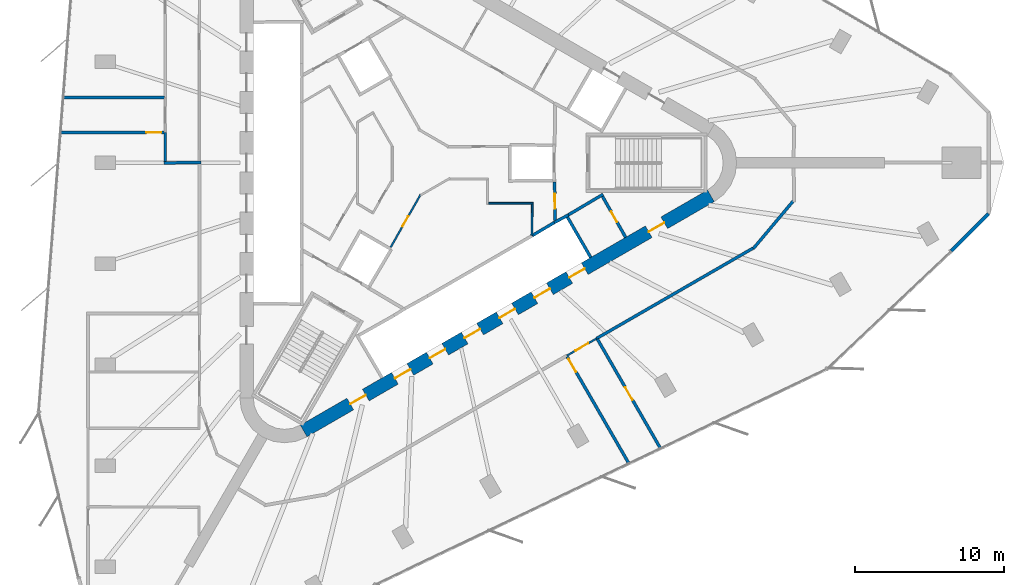
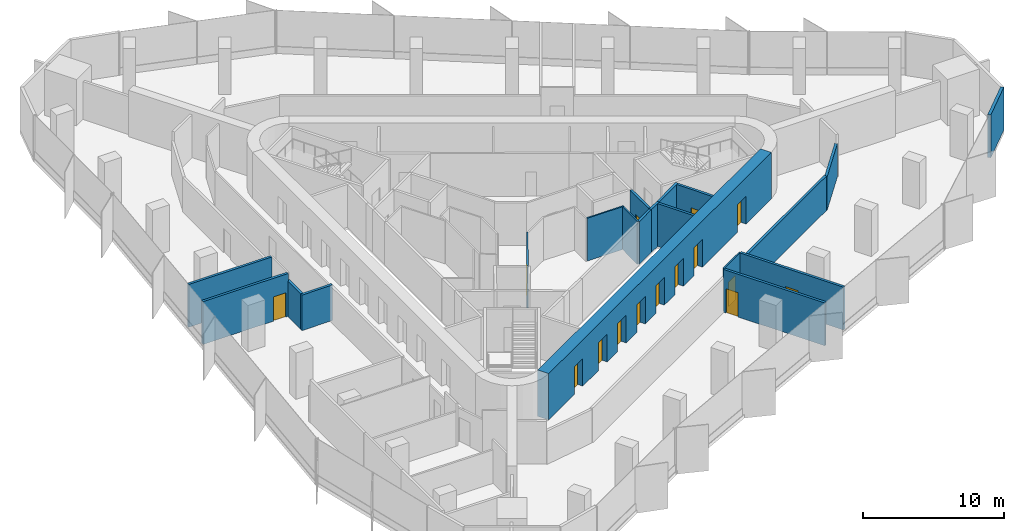
# One storey, part 9 of 13: 20 walls, 15 doors, 15 openings.
"""IFC4 building model written with IfcOpenShell, lengths in metres."""

import ifcopenshell
import ifcopenshell.guid

model = None  # the IFC model being written
_history = None  # IfcOwnerHistory: only IFC2X3 demands one
_inside = {}  # id of a spatial element -> (the spatial element, [elements in it])
_under = {}  # id of a project, library or spatial element -> (it, [spatial elements below it])
_declared = {}  # id of a project -> (the project, [libraries it declares])
_typed = {}  # id of a type object -> (the type object, [elements of that type])
_made_of = {}  # id of a material, layer set ... -> (it, [elements and type objects made of it])


def new_model(schema):
    """Start an empty IFC model of exactly this schema.

    Asked for "IFC4X3", IfcOpenShell would pick the latest addendum, in which some entities
    have other attributes; the version numbers below select the first issue.
    IFC2X3 requires an IfcOwnerHistory on every rooted entity: one is made here for all.
    """
    global model, _history
    if schema == "IFC4X3":
        model = ifcopenshell.file(schema_version=(4, 3, 0, 0))
    else:
        model = ifcopenshell.file(schema=schema)
    _inside.clear()
    _under.clear()
    _declared.clear()
    _typed.clear()
    _made_of.clear()
    _history = None
    if model.schema == "IFC2X3":
        org = make("IfcOrganization", Name="unknown")
        user = make(
            "IfcPersonAndOrganization",
            ThePerson=make("IfcPerson", FamilyName="unknown"),
            TheOrganization=org,
        )
        app = make(
            "IfcApplication",
            ApplicationDeveloper=org,
            Version="unknown",
            ApplicationFullName="unknown",
            ApplicationIdentifier="unknown",
        )
        _history = make(
            "IfcOwnerHistory",
            OwningUser=user,
            OwningApplication=app,
            ChangeAction="ADDED",
            CreationDate=0,
        )
    return model


def make(cls, **values):
    """One entity of the class cls with the attributes given. An attribute that is None is left unset."""
    return model.create_entity(
        cls, **{name: value for name, value in values.items() if value is not None}
    )


def rooted(cls, **values):
    """An entity with a GlobalId (a new one), such as an element, a storey or a relation."""
    return make(cls, GlobalId=ifcopenshell.guid.new(), OwnerHistory=_history, **values)


def si_unit(unit_type, name, prefix=None):
    """IfcSIUnit, for example si_unit("LENGTHUNIT", "METRE", prefix="MILLI")."""
    return make("IfcSIUnit", UnitType=unit_type, Prefix=prefix, Name=name)


def assignment(units):
    """IfcUnitAssignment: the units of a project."""
    return None if units is None else make("IfcUnitAssignment", Units=units)


def point(xyz):
    """IfcCartesianPoint."""
    return None if xyz is None else make("IfcCartesianPoint", Coordinates=xyz)


def direction(xyz):
    """IfcDirection."""
    return None if xyz is None else make("IfcDirection", DirectionRatios=xyz)


def frame(location, z_axis=None, x_axis=None):
    """IfcAxis2Placement3D, a coordinate frame: its origin and axes. An axis left out is left unset."""
    return make(
        "IfcAxis2Placement3D",
        Location=point(location),
        Axis=direction(z_axis),
        RefDirection=direction(x_axis),
    )


def frame_2d(location, x_axis=None):
    """IfcAxis2Placement2D, a coordinate frame in the plane: its origin and x axis."""
    return make(
        "IfcAxis2Placement2D", Location=point(location), RefDirection=direction(x_axis)
    )


def origin():
    """The frame at (0, 0, 0) with its axes left unset."""
    return frame((0.0, 0.0, 0.0))


def place(relative_to, where):
    """IfcLocalPlacement: puts the frame where relative to a parent placement (None: the world)."""
    return make(
        "IfcLocalPlacement", PlacementRelTo=relative_to, RelativePlacement=where
    )


def context(
    kind, dimensions, precision=None, world=None, true_north=None, identifier=None
):
    """IfcGeometricRepresentationContext, for example the 3D "Model" context."""
    return make(
        "IfcGeometricRepresentationContext",
        ContextIdentifier=identifier,
        ContextType=kind,
        CoordinateSpaceDimension=dimensions,
        Precision=precision,
        WorldCoordinateSystem=world,
        TrueNorth=true_north,
    )


def subcontext(parent, identifier, kind, view, scale=None):
    """IfcGeometricRepresentationSubContext, for example "Body" below "Model"."""
    return make(
        "IfcGeometricRepresentationSubContext",
        ContextIdentifier=identifier,
        ContextType=kind,
        ParentContext=parent,
        TargetScale=scale,
        TargetView=view,
    )


def project(units=None, contexts=None):
    """IfcProject with its units and contexts."""
    return rooted(
        "IfcProject",
        Name="project",
        RepresentationContexts=contexts,
        UnitsInContext=assignment(units),
    )


def spatial(cls, under=None, at=None, **own):
    """A site, building, storey or space (cls), placed at a placement, below another one or the project."""
    s = rooted(cls, ObjectPlacement=at, **own)
    if under is not None:
        _under.setdefault(under.id(), (under, []))[1].append(s)
    return s


def profile(cls, at=None, kind="AREA", **sizes):
    """A parametric profile (cls). Its sizes go by their IFC names, for example OverallWidth=200.0."""
    return make(cls, ProfileType=kind, Position=at, **sizes)


def rectangle(**sizes):
    """IfcRectangleProfileDef."""
    return profile("IfcRectangleProfileDef", **sizes)


def extrude(swept, where, along, depth):
    """IfcExtrudedAreaSolid: the profile swept, set in the frame where, extruded along a direction by depth."""
    return make(
        "IfcExtrudedAreaSolid",
        SweptArea=swept,
        Position=where,
        ExtrudedDirection=direction(along),
        Depth=depth,
    )


def shape(context_of_items, identifier, shape_type, items):
    """IfcShapeRepresentation: the items that make up one representation, for example the "Body"."""
    return make(
        "IfcShapeRepresentation",
        ContextOfItems=context_of_items,
        RepresentationIdentifier=identifier,
        RepresentationType=shape_type,
        Items=items,
    )


def material(Name=None, Category=None):
    """IfcMaterial."""
    return make("IfcMaterial", Name=Name, Category=Category)


def layer(
    of_material, thickness, ventilated=None, Name=None, Category=None, Priority=None
):
    """IfcMaterialLayer: one layer of a wall or slab, of a material (None: an air gap)."""
    return make(
        "IfcMaterialLayer",
        Material=of_material,
        LayerThickness=thickness,
        IsVentilated=ventilated,
        Name=Name,
        Category=Category,
        Priority=Priority,
    )


def layer_set(layers, Name=None):
    """IfcMaterialLayerSet."""
    return make("IfcMaterialLayerSet", MaterialLayers=layers, LayerSetName=Name)


def made_of(thing, what):
    """Note that an element or type object is made of a material, layer set ...; save() writes the relation."""
    if what is not None:
        _made_of.setdefault(what.id(), (what, []))[1].append(thing)
    return thing


def type_object(cls, material=None, **own):
    """A type object (cls), such as IfcWallType, which elements share."""
    return made_of(rooted(cls, **own), material)


def element(
    cls,
    number,
    at=None,
    inside=None,
    cuts=None,
    type_object=None,
    material=None,
    context=None,
    identifier="Body",
    shape_type=None,
    held_by="IfcProductDefinitionShape",
    body=None,
    shapes=None,
    **own,
):
    """One element of the class cls, such as IfcWall. Its Tag is "e" and its number.

    at: its placement. inside: the storey or other place that contains it. cuts: it is an
    opening in that element (IfcRelVoidsElement). A single representation is given by context,
    identifier, shape_type and body (its items); several are given by shapes. held_by: the class
    of the entity that holds the representations. save() writes the other relations.
    """
    e = rooted(cls, Tag="e%d" % number, ObjectPlacement=at, **own)
    if body is not None:
        shapes = [shape(context, identifier, shape_type, body)]
    if shapes is not None:
        e.Representation = make(held_by, Representations=shapes)
    if inside is not None:
        _inside.setdefault(inside.id(), (inside, []))[1].append(e)
    if cuts is not None:
        rooted(
            "IfcRelVoidsElement", RelatingBuildingElement=cuts, RelatedOpeningElement=e
        )
    if type_object is not None:
        _typed.setdefault(type_object.id(), (type_object, []))[1].append(e)
    return made_of(e, material)


def fill(opening, filler):
    """IfcRelFillsElement: the door or window that sits in an opening."""
    return rooted(
        "IfcRelFillsElement",
        RelatingOpeningElement=opening,
        RelatedBuildingElement=filler,
    )


def aggregate(whole, parts):
    """IfcRelAggregates: a whole, such as a stair, and the parts it consists of."""
    return rooted("IfcRelAggregates", RelatingObject=whole, RelatedObjects=parts)


def save(model, path):
    """Write the relations noted so far, then the file.

    IfcRelAggregates (storeys below a building ...), IfcRelContainedInSpatialStructure (elements
    in a storey), IfcRelDefinesByType, IfcRelAssociatesMaterial and IfcRelDeclares: one each for
    every whole, place, type object, material and project.
    """
    for whole, parts in _under.values():
        aggregate(whole, parts)
    for where, things in _inside.values():
        rooted(
            "IfcRelContainedInSpatialStructure",
            RelatedElements=things,
            RelatingStructure=where,
        )
    for kind, things in _typed.values():
        rooted("IfcRelDefinesByType", RelatedObjects=things, RelatingType=kind)
    for what, things in _made_of.values():
        rooted("IfcRelAssociatesMaterial", RelatedObjects=things, RelatingMaterial=what)
    for by, libraries in _declared.values():
        rooted("IfcRelDeclares", RelatingContext=by, RelatedDefinitions=libraries)
    model.write(path)


model = new_model("IFC4")

# Units and contexts
model_context = context("Model", 3, precision=1e-05, world=origin(), true_north=direction((0.0, 1.0)))
body_context = subcontext(model_context, "Body", "Model", "MODEL_VIEW")
ifc_project = project(units=[si_unit("LENGTHUNIT", "METRE"), si_unit("AREAUNIT", "SQUARE_METRE"), si_unit("VOLUMEUNIT", "CUBIC_METRE"), si_unit("PLANEANGLEUNIT", "RADIAN"), si_unit("MASSUNIT", "GRAM", prefix="KILO")], contexts=[model_context])

# Site, building, storey
site_placement = place(None, origin())
site = spatial("IfcSite", under=ifc_project, at=site_placement, CompositionType="ELEMENT")
building_placement = place(site_placement, origin())
building = spatial("IfcBuilding", under=site, at=building_placement, Name="Tanit Gate Tower", CompositionType="ELEMENT")
storey_placement = place(building_placement, frame((0.0, 0.0, 265.199951171875)))
storey = spatial("IfcBuildingStorey", under=building, at=storey_placement, Name="L60", CompositionType="ELEMENT", Elevation=265.199951171875)

# Wall, openings, doors
ifc_material_1 = material(Name="Concrete C50/60", Category="concrete")
ifc_layer_1 = layer(ifc_material_1, 0.89990234375)
ifc_layer_set_1 = layer_set([ifc_layer_1], Name="CORE WALL 900 C50/60")
wall_type_1 = type_object("IfcWallType", Name="CORE WALL 900 C50/60", PredefinedType="SHEAR", material=ifc_layer_set_1)
wall_1_placement = place(storey_placement, frame((-7.824951171875, -17.969970703125, 0.0), z_axis=(0.0, 0.0, 1.0), x_axis=(0.866028369851, 0.499994862586, 0.0)))
wall_1 = element("IfcWall", 1, at=wall_1_placement, inside=storey, type_object=wall_type_1, Name="CORE WALL", PredefinedType="SHEAR", context=body_context, shape_type="SweptSolid", body=[
    extrude(rectangle(XDim=31.523193359375, YDim=0.89990234375, at=frame_2d((15.76171875, 0.0))), origin(), (0.0, 0.0, 1.0), 4.0),
])
opening_1_placement = place(wall_1_placement, frame((7.061767578125, 0.0, 0.0)))
opening_1 = element("IfcOpeningElement", 2, at=opening_1_placement, cuts=wall_1, Name="Opening LDSX1-S17", PredefinedType="OPENING", context=body_context, shape_type="SweptSolid", body=[
    extrude(rectangle(XDim=1.199951171875, YDim=2.39990234375, at=frame_2d((0.60009765625, 1.199951171875))), frame((0.0, 0.4599609375, 0.0), z_axis=(0.0, -1.0, 0.0), x_axis=(1.0, 0.0, 0.0)), (0.0, 0.0, 1.0), 0.919921875),
])
opening_2_placement = place(wall_1_placement, frame((9.76171875, 0.0, 0.0)))
opening_2 = element("IfcOpeningElement", 3, at=opening_2_placement, cuts=wall_1, Name="Opening LDSX2-S17", PredefinedType="OPENING", context=body_context, shape_type="SweptSolid", body=[
    extrude(rectangle(XDim=1.199951171875, YDim=2.39990234375, at=frame_2d((0.60009765625, 1.199951171875))), frame((0.0, 0.4599609375, 0.0), z_axis=(0.0, -1.0, 0.0), x_axis=(1.0, 0.0, 0.0)), (0.0, 0.0, 1.0), 0.919921875),
])
opening_3_placement = place(wall_1_placement, frame((12.461669921875, 0.0, 0.0)))
opening_3 = element("IfcOpeningElement", 4, at=opening_3_placement, cuts=wall_1, Name="Opening LDSX3-S17", PredefinedType="OPENING", context=body_context, shape_type="SweptSolid", body=[
    extrude(rectangle(XDim=1.199951171875, YDim=2.39990234375, at=frame_2d((0.60009765625, 1.199951171875))), frame((0.0, 0.4599609375, 0.0), z_axis=(0.0, -1.0, 0.0), x_axis=(1.0, 0.0, 0.0)), (0.0, 0.0, 1.0), 0.919921875),
])
opening_4_placement = place(wall_1_placement, frame((15.16162109375, 0.0, 0.0)))
opening_4 = element("IfcOpeningElement", 5, at=opening_4_placement, cuts=wall_1, Name="Opening LDSX4-S17", PredefinedType="OPENING", context=body_context, shape_type="SweptSolid", body=[
    extrude(rectangle(XDim=1.199951171875, YDim=2.39990234375, at=frame_2d((0.60009765625, 1.199951171875))), frame((0.0, 0.4599609375, 0.0), z_axis=(0.0, -1.0, 0.0), x_axis=(1.0, 0.0, 0.0)), (0.0, 0.0, 1.0), 0.919921875),
])
opening_5_placement = place(wall_1_placement, frame((17.861572265625, 0.0, 0.0)))
opening_5 = element("IfcOpeningElement", 6, at=opening_5_placement, cuts=wall_1, Name="Opening LDSV1-S17", PredefinedType="OPENING", context=body_context, shape_type="SweptSolid", body=[
    extrude(rectangle(XDim=1.199951171875, YDim=2.39990234375, at=frame_2d((0.60009765625, 1.199951171875))), frame((0.0, 0.4599609375, 0.0), z_axis=(0.0, -1.0, 0.0), x_axis=(1.0, 0.0, 0.0)), (0.0, 0.0, 1.0), 0.919921875),
])
opening_6_placement = place(wall_1_placement, frame((20.561767578125, 0.0, 0.0)))
opening_6 = element("IfcOpeningElement", 7, at=opening_6_placement, cuts=wall_1, Name="Opening LDSV2-S17", PredefinedType="OPENING", context=body_context, shape_type="SweptSolid", body=[
    extrude(rectangle(XDim=1.199951171875, YDim=2.39990234375, at=frame_2d((0.60009765625, 1.199951171875))), frame((0.0, 0.4599609375, 0.0), z_axis=(0.0, -1.0, 0.0), x_axis=(1.0, 0.0, 0.0)), (0.0, 0.0, 1.0), 0.919921875),
])
opening_7_placement = place(wall_1_placement, frame((26.711669921875, 0.0, 0.0)))
opening_7 = element("IfcOpeningElement", 8, at=opening_7_placement, cuts=wall_1, Name="Opening F12-S17-S1", PredefinedType="OPENING", context=body_context, shape_type="SweptSolid", body=[
    extrude(rectangle(XDim=1.199951171875, YDim=2.39990234375, at=frame_2d((0.60009765625, 1.199951171875))), frame((0.0, 0.4599609375, 0.0), z_axis=(0.0, -1.0, 0.0), x_axis=(1.0, 0.0, 0.0)), (0.0, 0.0, 1.0), 0.919921875),
])
opening_8_placement = place(wall_1_placement, frame((3.611572265625, 0.0, 0.0)))
opening_8 = element("IfcOpeningElement", 9, at=opening_8_placement, cuts=wall_1, Name="Opening F12-S17-FL3", PredefinedType="OPENING", context=body_context, shape_type="SweptSolid", body=[
    extrude(rectangle(XDim=1.199951171875, YDim=2.39990234375, at=frame_2d((0.60009765625, 1.199951171875))), frame((0.0, 0.4599609375, 0.0), z_axis=(0.0, -1.0, 0.0), x_axis=(1.0, 0.0, 0.0)), (0.0, 0.0, 1.0), 0.919921875),
])
ifc_material_2 = material(Name="Fire-rated steel door leaf", Category="steel")
door_type_1 = type_object("IfcDoorType", Name="INT-DOOR-FIRE-LOBBY-1200", OperationType="NOTDEFINED", PredefinedType="USERDEFINED", material=ifc_material_2)
door_1_placement = place(opening_7_placement, origin())
door_1 = element("IfcDoor", 10, at=door_1_placement, inside=storey, type_object=door_type_1, Name="Door F12-S17-S1", ObjectType="FIRE DOOR", OperationType="SINGLE_SWING_RIGHT", OverallHeight=2.39990234375, OverallWidth=1.199951171875, PredefinedType="USERDEFINED", context=body_context, shape_type="SweptSolid", body=[
    extrude(rectangle(XDim=1.199951171875, YDim=2.39990234375, at=frame_2d((0.60009765625, 1.199951171875))), frame((0.0, 0.02490234375, 0.0), z_axis=(0.0, -1.0, 0.0), x_axis=(1.0, 0.0, 0.0)), (0.0, 0.0, 1.0), 0.050048828125),
])
fill(opening_7, door_1)
door_2_placement = place(opening_8_placement, origin())
door_2 = element("IfcDoor", 11, at=door_2_placement, inside=storey, type_object=door_type_1, Name="Door F12-S17-FL3", ObjectType="FIRE DOOR", OperationType="SINGLE_SWING_RIGHT", OverallHeight=2.39990234375, OverallWidth=1.199951171875, PredefinedType="USERDEFINED", context=body_context, shape_type="SweptSolid", body=[
    extrude(rectangle(XDim=1.199951171875, YDim=2.39990234375, at=frame_2d((0.60009765625, 1.199951171875))), frame((0.0, 0.02490234375, 0.0), z_axis=(0.0, -1.0, 0.0), x_axis=(1.0, 0.0, 0.0)), (0.0, 0.0, 1.0), 0.050048828125),
])
fill(opening_8, door_2)
ifc_material_3 = material(Name="Stainless steel sliding door leaf", Category="steel")
door_type_2 = type_object("IfcDoorType", Name="INT-DOOR-LANDING-1200", OperationType="NOTDEFINED", PredefinedType="USERDEFINED", material=ifc_material_3)
door_3_placement = place(opening_1_placement, origin())
door_3 = element("IfcDoor", 12, at=door_3_placement, inside=storey, type_object=door_type_2, Name="Door LDSX1-S17", ObjectType="LANDING DOOR", OperationType="SLIDING_TO_LEFT", OverallHeight=2.39990234375, OverallWidth=1.199951171875, PredefinedType="USERDEFINED", context=body_context, shape_type="SweptSolid", body=[
    extrude(rectangle(XDim=1.199951171875, YDim=2.39990234375, at=frame_2d((0.60009765625, 1.199951171875))), frame((0.0, 0.02490234375, 0.0), z_axis=(0.0, -1.0, 0.0), x_axis=(1.0, 0.0, 0.0)), (0.0, 0.0, 1.0), 0.050048828125),
])
fill(opening_1, door_3)
door_4_placement = place(opening_2_placement, origin())
door_4 = element("IfcDoor", 13, at=door_4_placement, inside=storey, type_object=door_type_2, Name="Door LDSX2-S17", ObjectType="LANDING DOOR", OperationType="SLIDING_TO_LEFT", OverallHeight=2.39990234375, OverallWidth=1.199951171875, PredefinedType="USERDEFINED", context=body_context, shape_type="SweptSolid", body=[
    extrude(rectangle(XDim=1.199951171875, YDim=2.39990234375, at=frame_2d((0.60009765625, 1.199951171875))), frame((0.0, 0.02490234375, 0.0), z_axis=(0.0, -1.0, 0.0), x_axis=(1.0, 0.0, 0.0)), (0.0, 0.0, 1.0), 0.050048828125),
])
fill(opening_2, door_4)
door_5_placement = place(opening_3_placement, origin())
door_5 = element("IfcDoor", 14, at=door_5_placement, inside=storey, type_object=door_type_2, Name="Door LDSX3-S17", ObjectType="LANDING DOOR", OperationType="SLIDING_TO_LEFT", OverallHeight=2.39990234375, OverallWidth=1.199951171875, PredefinedType="USERDEFINED", context=body_context, shape_type="SweptSolid", body=[
    extrude(rectangle(XDim=1.199951171875, YDim=2.39990234375, at=frame_2d((0.60009765625, 1.199951171875))), frame((0.0, 0.02490234375, 0.0), z_axis=(0.0, -1.0, 0.0), x_axis=(1.0, 0.0, 0.0)), (0.0, 0.0, 1.0), 0.050048828125),
])
fill(opening_3, door_5)
door_6_placement = place(opening_4_placement, origin())
door_6 = element("IfcDoor", 15, at=door_6_placement, inside=storey, type_object=door_type_2, Name="Door LDSX4-S17", ObjectType="LANDING DOOR", OperationType="SLIDING_TO_LEFT", OverallHeight=2.39990234375, OverallWidth=1.199951171875, PredefinedType="USERDEFINED", context=body_context, shape_type="SweptSolid", body=[
    extrude(rectangle(XDim=1.199951171875, YDim=2.39990234375, at=frame_2d((0.60009765625, 1.199951171875))), frame((0.0, 0.02490234375, 0.0), z_axis=(0.0, -1.0, 0.0), x_axis=(1.0, 0.0, 0.0)), (0.0, 0.0, 1.0), 0.050048828125),
])
fill(opening_4, door_6)
door_7_placement = place(opening_5_placement, origin())
door_7 = element("IfcDoor", 16, at=door_7_placement, inside=storey, type_object=door_type_2, Name="Door LDSV1-S17", ObjectType="LANDING DOOR", OperationType="SLIDING_TO_LEFT", OverallHeight=2.39990234375, OverallWidth=1.199951171875, PredefinedType="USERDEFINED", context=body_context, shape_type="SweptSolid", body=[
    extrude(rectangle(XDim=1.199951171875, YDim=2.39990234375, at=frame_2d((0.60009765625, 1.199951171875))), frame((0.0, 0.02490234375, 0.0), z_axis=(0.0, -1.0, 0.0), x_axis=(1.0, 0.0, 0.0)), (0.0, 0.0, 1.0), 0.050048828125),
])
fill(opening_5, door_7)
door_8_placement = place(opening_6_placement, origin())
door_8 = element("IfcDoor", 17, at=door_8_placement, inside=storey, type_object=door_type_2, Name="Door LDSV2-S17", ObjectType="LANDING DOOR", OperationType="SLIDING_TO_LEFT", OverallHeight=2.39990234375, OverallWidth=1.199951171875, PredefinedType="USERDEFINED", context=body_context, shape_type="SweptSolid", body=[
    extrude(rectangle(XDim=1.199951171875, YDim=2.39990234375, at=frame_2d((0.60009765625, 1.199951171875))), frame((0.0, 0.02490234375, 0.0), z_axis=(0.0, -1.0, 0.0), x_axis=(1.0, 0.0, 0.0)), (0.0, 0.0, 1.0), 0.050048828125),
])
fill(opening_6, door_8)

# Walls
ifc_material_4 = material(Name="Concrete C30/37 with bronze anodised aluminium cladding", Category="concrete")
ifc_layer_2 = layer(ifc_material_4, 0.239990234375)
ifc_layer_set_2 = layer_set([ifc_layer_2], Name="Facade wall bronze clad 240")
wall_type_2 = type_object("IfcWallType", Name="Facade wall bronze clad 240", PredefinedType="SOLIDWALL", material=ifc_layer_set_2)
wall_2_placement = place(storey_placement, frame((35.5751953125, -5.9091796875, 0.0), z_axis=(0.0, 0.0, 1.0), x_axis=(0.707106781187, 0.707106781187, 0.0)))
element("IfcWall", 18, at=wall_2_placement, inside=storey, type_object=wall_type_2, Name="Bronze-clad facade wall L60 E.arc1", PredefinedType="SOLIDWALL", context=body_context, shape_type="SweptSolid", body=[
    extrude(rectangle(XDim=3.5498046875, YDim=0.239990234375, at=frame_2d((1.77490234375, 0.0))), origin(), (0.0, 0.0, 1.0), 3.699951171875),
])
ifc_material_5 = material(Name="Fire-rated gypsum board partition")
ifc_layer_3 = layer(ifc_material_5, 0.199951171875)
ifc_layer_set_3 = layer_set([ifc_layer_3], Name="INT-WALL-COMPARTMENT")
wall_type_3 = type_object("IfcWallType", Name="INT-WALL-COMPARTMENT", PredefinedType="PARTITIONING", material=ifc_layer_set_3)
wall_3_placement = place(storey_placement, frame((12.244873046875, -2.10888671875, 0.0), z_axis=(0.0, 0.0, 1.0), x_axis=(-0.860414880418, -0.509594185166, 0.0)))
element("IfcWall", 19, at=wall_3_placement, inside=storey, type_object=wall_type_3, Name="Wall Compartment W057", PredefinedType="PARTITIONING", context=body_context, shape_type="SweptSolid", body=[
    extrude(rectangle(XDim=2.7001953125, YDim=0.199951171875, at=frame_2d((1.35009765625, 0.0))), origin(), (0.0, 0.0, 1.0), 3.699951171875),
])

# Wall, opening, door
wall_4_placement = place(storey_placement, frame((13.758056640625, -4.989501953125, 0.0), z_axis=(0.0, 0.0, 1.0), x_axis=(-0.491993409184, 0.87059892334, 0.0)))
wall_4 = element("IfcWall", 20, at=wall_4_placement, inside=storey, type_object=wall_type_3, Name="Wall Compartment W058", PredefinedType="PARTITIONING", context=body_context, shape_type="SweptSolid", body=[
    extrude(rectangle(XDim=3.150146484375, YDim=0.199951171875, at=frame_2d((1.5751953125, 0.0))), origin(), (0.0, 0.0, 1.0), 3.699951171875),
])
opening_9_placement = place(wall_4_placement, frame((1.175048828125, 0.0, 0.0)))
opening_9 = element("IfcOpeningElement", 21, at=opening_9_placement, cuts=wall_4, Name="Opening R08-S17-17", PredefinedType="OPENING", context=body_context, shape_type="SweptSolid", body=[
    extrude(rectangle(XDim=0.800048828125, YDim=2.10009765625, at=frame_2d((0.39990234375, 1.050048828125))), frame((0.0, 0.10986328125, 0.0), z_axis=(0.0, -1.0, 0.0), x_axis=(1.0, 0.0, 0.0)), (0.0, 0.0, 1.0), 0.219970703125),
])
ifc_material_6 = material(Name="Timber door leaf", Category="wood")
door_type_3 = type_object("IfcDoorType", Name="INT-DOOR-RISER-800", OperationType="NOTDEFINED", PredefinedType="USERDEFINED", material=ifc_material_6)
door_9_placement = place(opening_9_placement, origin())
door_9 = element("IfcDoor", 22, at=door_9_placement, inside=storey, type_object=door_type_3, Name="Door R08-S17-17", ObjectType="FIRE DOOR", OperationType="SINGLE_SWING_LEFT", OverallHeight=2.10009765625, OverallWidth=0.800048828125, PredefinedType="USERDEFINED", context=body_context, shape_type="SweptSolid", body=[
    extrude(rectangle(XDim=0.800048828125, YDim=2.10009765625, at=frame_2d((0.39990234375, 1.050048828125))), frame((0.0, 0.02490234375, 0.0), z_axis=(0.0, -1.0, 0.0), x_axis=(1.0, 0.0, 0.0)), (0.0, 0.0, 1.0), 0.050048828125),
])
fill(opening_9, door_9)

wall_5_placement = place(storey_placement, frame((9.02880859375, -3.850830078125, 0.0), z_axis=(0.0, 0.0, 1.0), x_axis=(-0.010783593937, 0.99994185536, 0.0)))
wall_5 = element("IfcWall", 23, at=wall_5_placement, inside=storey, type_object=wall_type_3, Name="Wall Compartment W060", PredefinedType="PARTITIONING", context=body_context, shape_type="SweptSolid", body=[
    extrude(rectangle(XDim=2.5810546875, YDim=0.199951171875, at=frame_2d((1.29052734375, 0.0))), origin(), (0.0, 0.0, 1.0), 3.699951171875),
])
opening_10_placement = place(wall_5_placement, frame((0.79052734375, 0.0, 0.0)))
opening_10 = element("IfcOpeningElement", 24, at=opening_10_placement, cuts=wall_5, Name="Opening F10-S17-02", PredefinedType="OPENING", context=body_context, shape_type="SweptSolid", body=[
    extrude(rectangle(XDim=1.0, YDim=2.10009765625, at=frame_2d((0.5, 1.050048828125))), frame((0.0, 0.10986328125, 0.0), z_axis=(0.0, -1.0, 0.0), x_axis=(1.0, 0.0, 0.0)), (0.0, 0.0, 1.0), 0.219970703125),
])
ifc_material_7 = material(Name="Fire-rated steel door leaf", Category="steel")
door_type_4 = type_object("IfcDoorType", Name="INT-DOOR-FIRE-1000", OperationType="NOTDEFINED", PredefinedType="USERDEFINED", material=ifc_material_7)
door_10_placement = place(opening_10_placement, origin())
door_10 = element("IfcDoor", 25, at=door_10_placement, inside=storey, type_object=door_type_4, Name="Door F10-S17-02", ObjectType="FIRE DOOR", OperationType="SINGLE_SWING_RIGHT", OverallHeight=2.10009765625, OverallWidth=1.0, PredefinedType="USERDEFINED", context=body_context, shape_type="SweptSolid", body=[
    extrude(rectangle(XDim=1.0, YDim=2.10009765625, at=frame_2d((0.5, 1.050048828125))), frame((0.0, 0.02490234375, 0.0), z_axis=(0.0, -1.0, 0.0), x_axis=(1.0, 0.0, 0.0)), (0.0, 0.0, 1.0), 0.050048828125),
])
fill(opening_10, door_10)

# Walls
wall_6_placement = place(storey_placement, frame((-17.199951171875, -0.001220703125, 0.0), z_axis=(0.0, 0.0, 1.0), x_axis=(0.999915662945, 0.012987185857, 0.0)))
element("IfcWall", 26, at=wall_6_placement, inside=storey, type_object=wall_type_3, Name="Wall Compartment W088", PredefinedType="PARTITIONING", context=body_context, shape_type="SweptSolid", body=[
    extrude(rectangle(XDim=2.500244140625, YDim=0.199951171875, at=frame_2d((1.25, 0.0))), origin(), (0.0, 0.0, 1.0), 3.070068359375),
])
wall_7_placement = place(storey_placement, frame((-17.10009765625, 2.050048828125, 0.0), z_axis=(0.0, 0.0, 1.0), x_axis=(0.0, -1.0, 0.0)))
element("IfcWall", 27, at=wall_7_placement, inside=storey, type_object=wall_type_3, Name="Wall Compartment W089", PredefinedType="PARTITIONING", context=body_context, shape_type="SweptSolid", body=[
    extrude(rectangle(XDim=1.949951171875, YDim=0.199951171875, at=frame_2d((0.97509765625, 0.0))), origin(), (0.0, 0.0, 1.0), 3.070068359375),
])
wall_8_placement = place(storey_placement, frame((22.315185546875, -5.746337890625, 0.0), z_axis=(0.0, 0.0, 1.0), x_axis=(0.642828004621, 0.76601054593, 0.0)))
element("IfcWall", 28, at=wall_8_placement, inside=storey, type_object=wall_type_3, Name="Wall Compartment W107", PredefinedType="PARTITIONING", context=body_context, shape_type="SweptSolid", body=[
    extrude(rectangle(XDim=4.19970703125, YDim=0.199951171875, at=frame_2d((2.099853515625, 0.0))), origin(), (0.0, 0.0, 1.0), 2.880126953125),
])
wall_9_placement = place(storey_placement, frame((11.817138671875, -11.76806640625, 0.0), z_axis=(0.0, 0.0, 1.0), x_axis=(0.866029971876, 0.49999208775, 0.0)))
element("IfcWall", 29, at=wall_9_placement, inside=storey, type_object=wall_type_3, Name="Wall Compartment W108", PredefinedType="PARTITIONING", context=body_context, shape_type="SweptSolid", body=[
    extrude(rectangle(XDim=12.096435546875, YDim=0.199951171875, at=frame_2d((6.04833984375, 0.0))), origin(), (0.0, 0.0, 1.0), 2.97998046875),
])

# Wall, opening, door
wall_10_placement = place(storey_placement, frame((-24.117919921875, 2.030029296875, 0.0), z_axis=(0.0, 0.0, 1.0), x_axis=(1.0, 0.0, 0.0)))
wall_10 = element("IfcWall", 30, at=wall_10_placement, inside=storey, type_object=wall_type_3, Name="Wall Compartment W112", PredefinedType="PARTITIONING", context=body_context, shape_type="SweptSolid", body=[
    extrude(rectangle(XDim=6.9580078125, YDim=0.199951171875, at=frame_2d((3.47900390625, 0.0))), origin(), (0.0, 0.0, 1.0), 3.699951171875),
])
opening_11_placement = place(wall_10_placement, frame((5.7578125, 0.0, 0.0)))
opening_11 = element("IfcOpeningElement", 31, at=opening_11_placement, cuts=wall_10, Name="Opening F10-S17-27", PredefinedType="OPENING", context=body_context, shape_type="SweptSolid", body=[
    extrude(rectangle(XDim=1.0, YDim=2.10009765625, at=frame_2d((0.5, 1.050048828125))), frame((0.0, 0.10986328125, 0.0), z_axis=(0.0, -1.0, 0.0), x_axis=(1.0, 0.0, 0.0)), (0.0, 0.0, 1.0), 0.219970703125),
])
door_11_placement = place(opening_11_placement, origin())
door_11 = element("IfcDoor", 32, at=door_11_placement, inside=storey, type_object=door_type_4, Name="Door F10-S17-27", ObjectType="FIRE DOOR", OperationType="SINGLE_SWING_RIGHT", OverallHeight=2.10009765625, OverallWidth=1.0, PredefinedType="USERDEFINED", context=body_context, shape_type="SweptSolid", body=[
    extrude(rectangle(XDim=1.0, YDim=2.10009765625, at=frame_2d((0.5, 1.050048828125))), frame((0.0, 0.02490234375, 0.0), z_axis=(0.0, -1.0, 0.0), x_axis=(1.0, 0.0, 0.0)), (0.0, 0.0, 1.0), 0.050048828125),
])
fill(opening_11, door_11)

# Wall
wall_11_placement = place(storey_placement, frame((-17.159912109375, 4.3701171875, 0.0), z_axis=(0.0, 0.0, 1.0), x_axis=(-1.0, 0.0, 0.0)))
element("IfcWall", 33, at=wall_11_placement, inside=storey, type_object=wall_type_3, Name="Wall Compartment W113", PredefinedType="PARTITIONING", context=body_context, shape_type="SweptSolid", body=[
    extrude(rectangle(XDim=6.775634765625, YDim=0.199951171875, at=frame_2d((3.3876953125, 0.0))), origin(), (0.0, 0.0, 1.0), 3.699951171875),
])

# Wall, opening, door
wall_12_placement = place(storey_placement, frame((16.0927734375, -19.133544921875, 0.0), z_axis=(0.0, 0.0, 1.0), x_axis=(-0.500004849665, 0.866022603811, 0.0)))
wall_12 = element("IfcWall", 34, at=wall_12_placement, inside=storey, type_object=wall_type_3, Name="Wall Compartment W128", PredefinedType="PARTITIONING", context=body_context, shape_type="SweptSolid", body=[
    extrude(rectangle(XDim=8.45654296875, YDim=0.199951171875, at=frame_2d((4.228271484375, 0.0))), origin(), (0.0, 0.0, 1.0), 3.699951171875),
])
opening_12_placement = place(wall_12_placement, frame((3.728271484375, 0.0, 0.0)))
opening_12 = element("IfcOpeningElement", 35, at=opening_12_placement, cuts=wall_12, Name="Opening F10-S17-31", PredefinedType="OPENING", context=body_context, shape_type="SweptSolid", body=[
    extrude(rectangle(XDim=1.0, YDim=2.10009765625, at=frame_2d((0.5, 1.050048828125))), frame((0.0, 0.10986328125, 0.0), z_axis=(0.0, -1.0, 0.0), x_axis=(1.0, 0.0, 0.0)), (0.0, 0.0, 1.0), 0.219970703125),
])
door_12_placement = place(opening_12_placement, origin())
door_12 = element("IfcDoor", 36, at=door_12_placement, inside=storey, type_object=door_type_4, Name="Door F10-S17-31", ObjectType="FIRE DOOR", OperationType="SINGLE_SWING_RIGHT", OverallHeight=2.10009765625, OverallWidth=1.0, PredefinedType="USERDEFINED", context=body_context, shape_type="SweptSolid", body=[
    extrude(rectangle(XDim=1.0, YDim=2.10009765625, at=frame_2d((0.5, 1.050048828125))), frame((0.0, 0.02490234375, 0.0), z_axis=(0.0, -1.0, 0.0), x_axis=(1.0, 0.0, 0.0)), (0.0, 0.0, 1.0), 0.050048828125),
])
fill(opening_12, door_12)

wall_13_placement = place(storey_placement, frame((9.838134765625, -12.97998046875, 0.0), z_axis=(0.0, 0.0, 1.0), x_axis=(0.499982124662, -0.866035723869, 0.0)))
wall_13 = element("IfcWall", 37, at=wall_13_placement, inside=storey, type_object=wall_type_3, Name="Wall Compartment W129", PredefinedType="PARTITIONING", context=body_context, shape_type="SweptSolid", body=[
    extrude(rectangle(XDim=8.274169921875, YDim=0.199951171875, at=frame_2d((4.13720703125, 0.0))), origin(), (0.0, 0.0, 1.0), 3.699951171875),
])
opening_13_placement = place(wall_13_placement, frame((0.199951171875, 0.0, 0.0)))
opening_13 = element("IfcOpeningElement", 38, at=opening_13_placement, cuts=wall_13, Name="Opening F10-S17-32", PredefinedType="OPENING", context=body_context, shape_type="SweptSolid", body=[
    extrude(rectangle(XDim=1.0, YDim=2.10009765625, at=frame_2d((0.5, 1.050048828125))), frame((0.0, 0.10986328125, 0.0), z_axis=(0.0, -1.0, 0.0), x_axis=(1.0, 0.0, 0.0)), (0.0, 0.0, 1.0), 0.219970703125),
])
door_13_placement = place(opening_13_placement, origin())
door_13 = element("IfcDoor", 39, at=door_13_placement, inside=storey, type_object=door_type_4, Name="Door F10-S17-32", ObjectType="FIRE DOOR", OperationType="SINGLE_SWING_RIGHT", OverallHeight=2.10009765625, OverallWidth=1.0, PredefinedType="USERDEFINED", context=body_context, shape_type="SweptSolid", body=[
    extrude(rectangle(XDim=1.0, YDim=2.10009765625, at=frame_2d((0.5, 1.050048828125))), frame((0.0, 0.02490234375, 0.0), z_axis=(0.0, -1.0, 0.0), x_axis=(1.0, 0.0, 0.0)), (0.0, 0.0, 1.0), 0.050048828125),
])
fill(opening_13, door_13)

ifc_material_8 = material(Name="Gypsum board partition")
ifc_layer_4 = layer(ifc_material_8, 0.1201171875)
ifc_layer_set_4 = layer_set([ifc_layer_4], Name="INT-WALL-PARTITION")
wall_type_4 = type_object("IfcWallType", Name="INT-WALL-PARTITION", PredefinedType="PARTITIONING", material=ifc_layer_set_4)
wall_14_placement = place(storey_placement, frame((0.02880859375, -2.0986328125, 0.0), z_axis=(0.0, 0.0, 1.0), x_axis=(-0.49376265119, -0.869596713592, 0.0)))
wall_14 = element("IfcWall", 40, at=wall_14_placement, inside=storey, type_object=wall_type_4, Name="Wall Partition W068", PredefinedType="PARTITIONING", context=body_context, shape_type="SweptSolid", body=[
    extrude(rectangle(XDim=4.096923828125, YDim=0.1201171875, at=frame_2d((2.04833984375, 0.0))), origin(), (0.0, 0.0, 1.0), 3.699951171875),
])
opening_14_placement = place(wall_14_placement, frame((1.69970703125, 0.0, 0.0)))
opening_14 = element("IfcOpeningElement", 41, at=opening_14_placement, cuts=wall_14, Name="Opening R08-S17-11", PredefinedType="OPENING", context=body_context, shape_type="SweptSolid", body=[
    extrude(rectangle(XDim=0.800048828125, YDim=2.10009765625, at=frame_2d((0.39990234375, 1.050048828125))), frame((0.0, 0.070068359375, 0.0), z_axis=(0.0, -1.0, 0.0), x_axis=(1.0, 0.0, 0.0)), (0.0, 0.0, 1.0), 0.14013671875),
])
door_14_placement = place(opening_14_placement, origin())
door_14 = element("IfcDoor", 42, at=door_14_placement, inside=storey, type_object=door_type_3, Name="Door R08-S17-11", ObjectType="FIRE DOOR", OperationType="SINGLE_SWING_RIGHT", OverallHeight=2.10009765625, OverallWidth=0.800048828125, PredefinedType="USERDEFINED", context=body_context, shape_type="SweptSolid", body=[
    extrude(rectangle(XDim=0.800048828125, YDim=2.10009765625, at=frame_2d((0.39990234375, 1.050048828125))), frame((0.0, 0.02490234375, 0.0), z_axis=(0.0, -1.0, 0.0), x_axis=(1.0, 0.0, 0.0)), (0.0, 0.0, 1.0), 0.050048828125),
])
fill(opening_14, door_14)

# Walls
wall_15_placement = place(storey_placement, frame((7.56005859375, -2.699951171875, 0.0), z_axis=(0.0, 0.0, 1.0), x_axis=(-1.0, 0.0, 0.0)))
element("IfcWall", 43, at=wall_15_placement, inside=storey, type_object=wall_type_4, Name="Wall Partition W072", PredefinedType="PARTITIONING", context=body_context, shape_type="SweptSolid", body=[
    extrude(rectangle(XDim=3.0, YDim=0.1201171875, at=frame_2d((1.5, 0.0))), origin(), (0.0, 0.0, 1.0), 3.699951171875),
])
wall_16_placement = place(storey_placement, frame((7.474609375, -4.864501953125, 0.0), z_axis=(0.0, 0.0, 1.0), x_axis=(0.011716133148, 0.999931363757, 0.0)))
element("IfcWall", 44, at=wall_16_placement, inside=storey, type_object=wall_type_4, Name="Wall Partition W073", PredefinedType="PARTITIONING", context=body_context, shape_type="SweptSolid", body=[
    extrude(rectangle(XDim=2.104736328125, YDim=0.1201171875, at=frame_2d((1.05224609375, 0.0))), origin(), (0.0, 0.0, 1.0), 3.699951171875),
])

# Wall, opening, door
wall_17_placement = place(storey_placement, frame((9.825439453125, -12.91796875, 0.0), z_axis=(0.0, 0.0, 1.0), x_axis=(0.86602648383, 0.499998129301, 0.0)))
wall_17 = element("IfcWall", 45, at=wall_17_placement, inside=storey, type_object=wall_type_4, Name="Wall Partition W105", PredefinedType="PARTITIONING", context=body_context, shape_type="SweptSolid", body=[
    extrude(rectangle(XDim=2.2998046875, YDim=0.1201171875, at=frame_2d((1.14990234375, 0.0))), origin(), (0.0, 0.0, 1.0), 3.699951171875),
])
opening_15_placement = place(wall_17_placement, frame((0.64990234375, 0.0, 0.0)))
opening_15 = element("IfcOpeningElement", 46, at=opening_15_placement, cuts=wall_17, Name="Opening D10-S17-22", PredefinedType="OPENING", context=body_context, shape_type="SweptSolid", body=[
    extrude(rectangle(XDim=1.0, YDim=2.10009765625, at=frame_2d((0.5, 1.050048828125))), frame((0.0, 0.070068359375, 0.0), z_axis=(0.0, -1.0, 0.0), x_axis=(1.0, 0.0, 0.0)), (0.0, 0.0, 1.0), 0.14013671875),
])
ifc_material_9 = material(Name="Timber door leaf", Category="wood")
door_type_5 = type_object("IfcDoorType", Name="INT-DOOR-SINGLE-1000", OperationType="NOTDEFINED", PredefinedType="NOTDEFINED", material=ifc_material_9)
door_15_placement = place(opening_15_placement, origin())
door_15 = element("IfcDoor", 47, at=door_15_placement, inside=storey, type_object=door_type_5, Name="Door D10-S17-22", OperationType="SINGLE_SWING_RIGHT", OverallHeight=2.10009765625, OverallWidth=1.0, PredefinedType="NOTDEFINED", context=body_context, shape_type="SweptSolid", body=[
    extrude(rectangle(XDim=1.0, YDim=2.10009765625, at=frame_2d((0.5, 1.050048828125))), frame((0.0, 0.02490234375, 0.0), z_axis=(0.0, -1.0, 0.0), x_axis=(1.0, 0.0, 0.0)), (0.0, 0.0, 1.0), 0.050048828125),
])
fill(opening_15, door_15)

# Walls
ifc_material_10 = material(Name="Gypsum shaft wall system")
ifc_layer_5 = layer(ifc_material_10, 0.199951171875)
ifc_layer_set_5 = layer_set([ifc_layer_5], Name="INT-WALL-SHAFT")
wall_type_5 = type_object("IfcWallType", Name="INT-WALL-SHAFT", PredefinedType="PLUMBINGWALL", material=ifc_layer_set_5)
wall_18_placement = place(storey_placement, frame((9.794677734375, -3.52490234375, 0.0), z_axis=(0.0, 0.0, 1.0), x_axis=(0.499984717929, -0.866034226713, 0.0)))
element("IfcWall", 48, at=wall_18_placement, inside=storey, type_object=wall_type_5, Name="Wall Shaft W016", PredefinedType="PLUMBINGWALL", context=body_context, shape_type="SweptSolid", body=[
    extrude(rectangle(XDim=3.25, YDim=0.199951171875, at=frame_2d((1.625, 0.0))), origin(), (0.0, 0.0, 1.0), 3.699951171875),
])
wall_19_placement = place(storey_placement, frame((8.97412109375, -3.998779296875, 0.0), z_axis=(0.0, 0.0, 1.0), x_axis=(0.880907015104, 0.473289373154, 0.0)))
element("IfcWall", 49, at=wall_19_placement, inside=storey, type_object=wall_type_5, Name="Wall Shaft W017", PredefinedType="PLUMBINGWALL", context=body_context, shape_type="SweptSolid", body=[
    extrude(rectangle(XDim=1.078125, YDim=0.199951171875, at=frame_2d((0.5390625, 0.0))), origin(), (0.0, 0.0, 1.0), 3.699951171875),
])
wall_20_placement = place(storey_placement, frame((7.4931640625, -4.87841796875, 0.0), z_axis=(0.0, 0.0, 1.0), x_axis=(0.859981807212, 0.510324691999, 0.0)))
element("IfcWall", 50, at=wall_20_placement, inside=storey, type_object=wall_type_5, Name="Wall Shaft W018", PredefinedType="PLUMBINGWALL", context=body_context, shape_type="SweptSolid", body=[
    extrude(rectangle(XDim=1.8447265625, YDim=0.199951171875, at=frame_2d((0.92236328125, 0.0))), origin(), (0.0, 0.0, 1.0), 3.699951171875),
])

save(model, "model.ifc")
